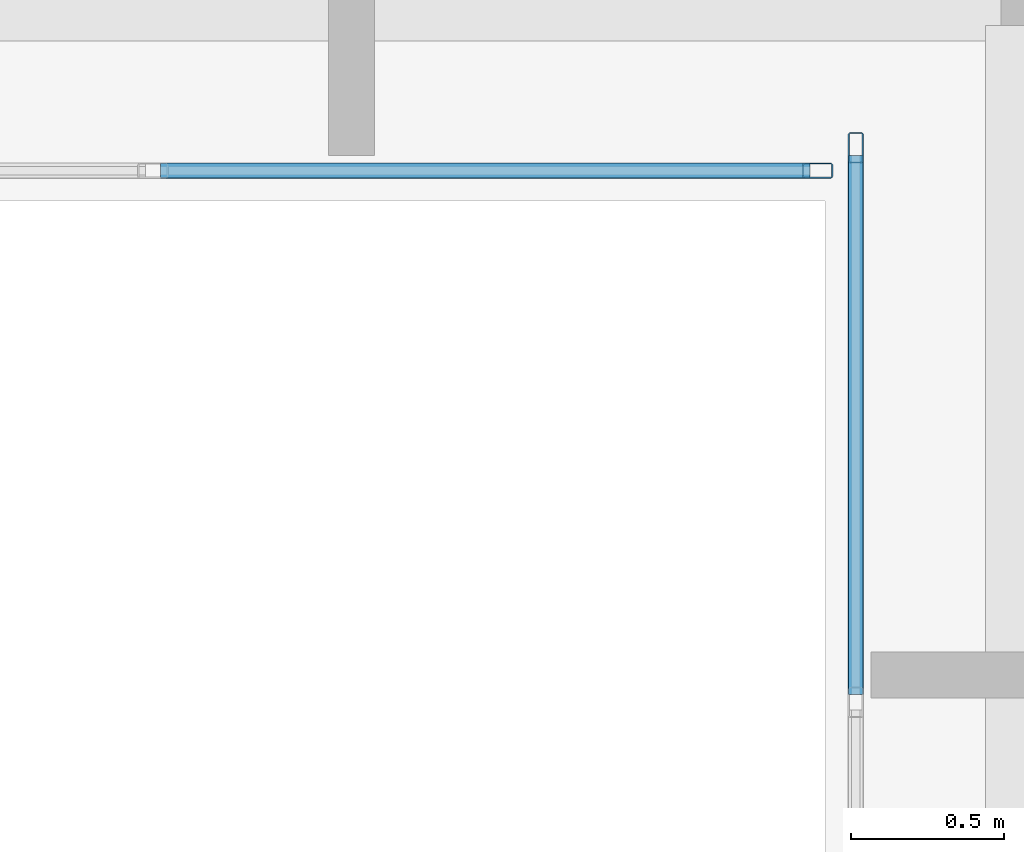
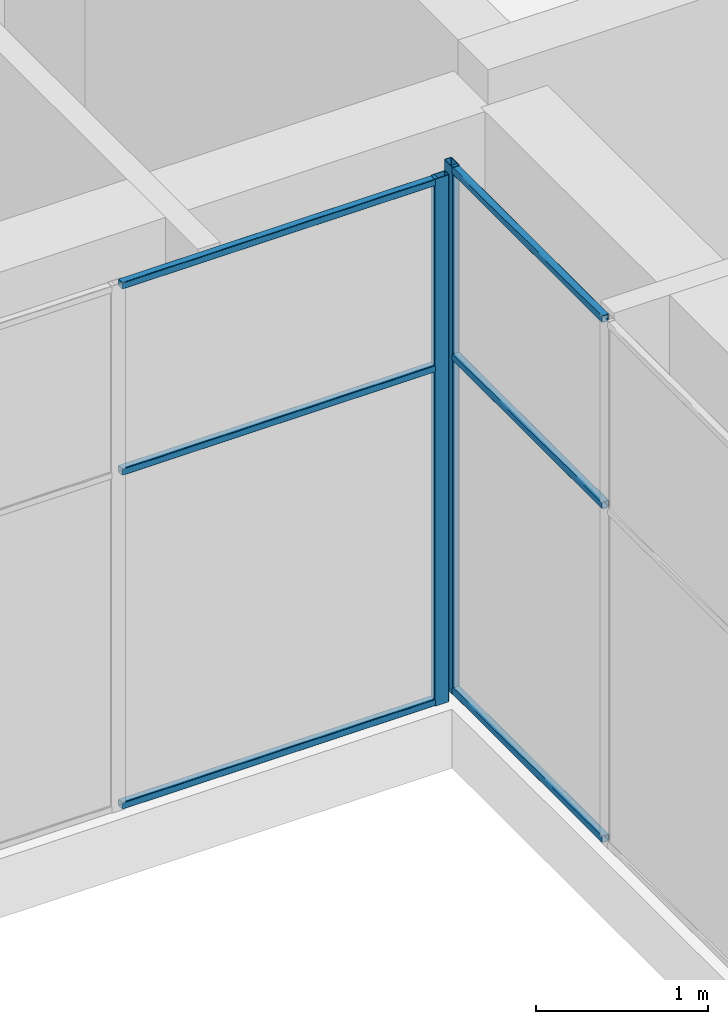
# One storey, part 6 of 34: 8 members, 2 elements without a shape of their own.
"""IFC4 building model written with IfcOpenShell, lengths in metres."""

from ifc_helpers import new_model, si_unit, direction, frame, origin, origin_2d, place, context, subcontext, project, spatial, hollow_rectangle, extrude, material, layer, layer_set, material_profile, profile_set, type_object, element, aggregate, save


model = new_model("IFC4")

# Units and contexts
model_context = context("Model", 3, precision=1e-05, world=origin(), true_north=direction((0.0, 1.0)))
body_context = subcontext(model_context, "Body", "Model", "MODEL_VIEW")
ifc_project = project(units=[si_unit("LENGTHUNIT", "METRE"), si_unit("AREAUNIT", "SQUARE_METRE"), si_unit("VOLUMEUNIT", "CUBIC_METRE"), si_unit("PLANEANGLEUNIT", "RADIAN"), si_unit("MASSUNIT", "GRAM", prefix="KILO")], contexts=[model_context])

# Site, building, storey
site_placement = place(None, origin())
site = spatial("IfcSite", under=ifc_project, at=site_placement, CompositionType="ELEMENT")
building_placement = place(site_placement, origin())
building = spatial("IfcBuilding", under=site, at=building_placement, Name="Tuart Plaza Theatre", CompositionType="ELEMENT")
storey_placement = place(building_placement, frame((0.0, 0.0, 53.5)))
storey = spatial("IfcBuildingStorey", under=building, at=storey_placement, Name="L13", CompositionType="ELEMENT", Elevation=53.5)

# Curtain wall, member
ifc_material_1 = material(Name="Aluminium and glass", Category="aluminium")
ifc_layer = layer(ifc_material_1, 0.10009765625)
ifc_layer_set = layer_set([ifc_layer], Name="CURTAIN WALL 2000 module")
curtain_wall_type = type_object("IfcCurtainWallType", Name="CURTAIN WALL 2000 module", PredefinedType="NOTDEFINED", material=ifc_layer_set)
curtain_wall_1_placement = place(storey_placement, origin())
curtain_wall_1 = element("IfcCurtainWall", 1, at=curtain_wall_1_placement, inside=storey, type_object=curtain_wall_type, Name="CW120", PredefinedType="NOTDEFINED")
ifc_material_2 = material(Name="Aluminium 6063-T5", Category="aluminium")
ifc_material_profile_1 = material_profile(ifc_material_2, hollow_rectangle(XDim=0.050048828125, YDim=0.10009765625, WallThickness=0.00390625, InnerFilletRadius=0.00390625, OuterFilletRadius=0.008056640625, at=origin_2d()), Name="RHS 100x50x4")
ifc_profile_set_1 = profile_set([ifc_material_profile_1], Name="Aluminium 6063-T5")
member_type_1 = type_object("IfcMemberType", Name="MULLION RHS 100x50x4", PredefinedType="MULLION", material=ifc_profile_set_1)
member_1_placement = place(storey_placement, frame((122.22509765625, 64.35009765625, 0.0), z_axis=(0.0, 0.0, 1.0), x_axis=(0.0, 1.0, 0.0)))
member_1 = element("IfcMember", 2, at=member_1_placement, type_object=member_type_1, Name="CW120 mullion 5", PredefinedType="MULLION", context=body_context, shape_type="SweptSolid", body=[
    extrude(hollow_rectangle(XDim=0.050048828125, YDim=0.10009765625, WallThickness=0.00390625, InnerFilletRadius=0.00390625, OuterFilletRadius=0.008056640625, at=origin_2d()), origin(), (0.0, 0.0, 1.0), 3.75),
])

curtain_wall_2_placement = place(storey_placement, origin())
curtain_wall_2 = element("IfcCurtainWall", 3, at=curtain_wall_2_placement, inside=storey, type_object=curtain_wall_type, Name="CW121", PredefinedType="NOTDEFINED")
member_2_placement = place(storey_placement, frame((122.35009765625, 64.425048828125, 0.0), z_axis=(0.0, 0.0, 1.0), x_axis=(1.0, 0.0, 0.0)))
member_2 = element("IfcMember", 4, at=member_2_placement, type_object=member_type_1, Name="CW121 mullion 1", PredefinedType="MULLION", context=body_context, shape_type="SweptSolid", body=[
    extrude(hollow_rectangle(XDim=0.050048828125, YDim=0.10009765625, WallThickness=0.00390625, InnerFilletRadius=0.00390625, OuterFilletRadius=0.008056640625, at=origin_2d()), origin(), (0.0, 0.0, 1.0), 3.75),
])

# Member
ifc_material_3 = material(Name="Aluminium 6063-T5", Category="aluminium")
ifc_material_profile_2 = material_profile(ifc_material_3, hollow_rectangle(XDim=0.050048828125, YDim=0.050048828125, WallThickness=0.00390625, InnerFilletRadius=0.00390625, OuterFilletRadius=0.008056640625, at=origin_2d()), Name="RHS 50x50x4")
ifc_profile_set_2 = profile_set([ifc_material_profile_2], Name="Aluminium 6063-T5")
member_type_2 = type_object("IfcMemberType", Name="TRANSOM RHS 50x50x4", PredefinedType="USERDEFINED", material=ifc_profile_set_2)
member_3_placement = place(storey_placement, frame((120.074951171875, 64.35009765625, 0.02490234375), z_axis=(1.0, 0.0, 0.0), x_axis=(0.0, 1.0, 0.0)))
member_3 = element("IfcMember", 5, at=member_3_placement, type_object=member_type_2, Name="CW120 transom 4.1", ObjectType="TRANSOM", PredefinedType="USERDEFINED", context=body_context, shape_type="SweptSolid", body=[
    extrude(hollow_rectangle(XDim=0.050048828125, YDim=0.050048828125, WallThickness=0.00390625, InnerFilletRadius=0.00390625, OuterFilletRadius=0.008056640625, at=origin_2d()), origin(), (0.0, 0.0, 1.0), 2.125),
])

member_4_placement = place(storey_placement, frame((120.074951171875, 64.35009765625, 2.39990234375), z_axis=(1.0, 0.0, 0.0), x_axis=(0.0, 1.0, 0.0)))
member_4 = element("IfcMember", 6, at=member_4_placement, type_object=member_type_2, Name="CW120 transom 4.2", ObjectType="TRANSOM", PredefinedType="USERDEFINED", context=body_context, shape_type="SweptSolid", body=[
    extrude(hollow_rectangle(XDim=0.050048828125, YDim=0.050048828125, WallThickness=0.00390625, InnerFilletRadius=0.00390625, OuterFilletRadius=0.008056640625, at=origin_2d()), origin(), (0.0, 0.0, 1.0), 2.125),
])

member_5_placement = place(storey_placement, frame((120.074951171875, 64.35009765625, 3.72509765625), z_axis=(1.0, 0.0, 0.0), x_axis=(0.0, 1.0, 0.0)))
member_5 = element("IfcMember", 7, at=member_5_placement, type_object=member_type_2, Name="CW120 transom 4.3", ObjectType="TRANSOM", PredefinedType="USERDEFINED", context=body_context, shape_type="SweptSolid", body=[
    extrude(hollow_rectangle(XDim=0.050048828125, YDim=0.050048828125, WallThickness=0.00390625, InnerFilletRadius=0.00390625, OuterFilletRadius=0.008056640625, at=origin_2d()), origin(), (0.0, 0.0, 1.0), 2.125),
])

aggregate(curtain_wall_1, [member_1, member_3, member_4, member_5])

member_6_placement = place(storey_placement, frame((122.35009765625, 64.39990234375, 0.02490234375), z_axis=(0.0, -1.0, 0.0), x_axis=(1.0, 0.0, 0.0)))
member_6 = element("IfcMember", 8, at=member_6_placement, type_object=member_type_2, Name="CW121 transom 1.1", ObjectType="TRANSOM", PredefinedType="USERDEFINED", context=body_context, shape_type="SweptSolid", body=[
    extrude(hollow_rectangle(XDim=0.050048828125, YDim=0.050048828125, WallThickness=0.00390625, InnerFilletRadius=0.00390625, OuterFilletRadius=0.008056640625, at=origin_2d()), origin(), (0.0, 0.0, 1.0), 1.764892578125),
])

member_7_placement = place(storey_placement, frame((122.35009765625, 64.39990234375, 2.39990234375), z_axis=(0.0, -1.0, 0.0), x_axis=(1.0, 0.0, 0.0)))
member_7 = element("IfcMember", 9, at=member_7_placement, type_object=member_type_2, Name="CW121 transom 1.2", ObjectType="TRANSOM", PredefinedType="USERDEFINED", context=body_context, shape_type="SweptSolid", body=[
    extrude(hollow_rectangle(XDim=0.050048828125, YDim=0.050048828125, WallThickness=0.00390625, InnerFilletRadius=0.00390625, OuterFilletRadius=0.008056640625, at=origin_2d()), origin(), (0.0, 0.0, 1.0), 1.764892578125),
])

member_8_placement = place(storey_placement, frame((122.35009765625, 64.39990234375, 3.72509765625), z_axis=(0.0, -1.0, 0.0), x_axis=(1.0, 0.0, 0.0)))
member_8 = element("IfcMember", 10, at=member_8_placement, type_object=member_type_2, Name="CW121 transom 1.3", ObjectType="TRANSOM", PredefinedType="USERDEFINED", context=body_context, shape_type="SweptSolid", body=[
    extrude(hollow_rectangle(XDim=0.050048828125, YDim=0.050048828125, WallThickness=0.00390625, InnerFilletRadius=0.00390625, OuterFilletRadius=0.008056640625, at=origin_2d()), origin(), (0.0, 0.0, 1.0), 1.764892578125),
])

aggregate(curtain_wall_2, [member_2, member_6, member_7, member_8])

save(model, "model.ifc")
